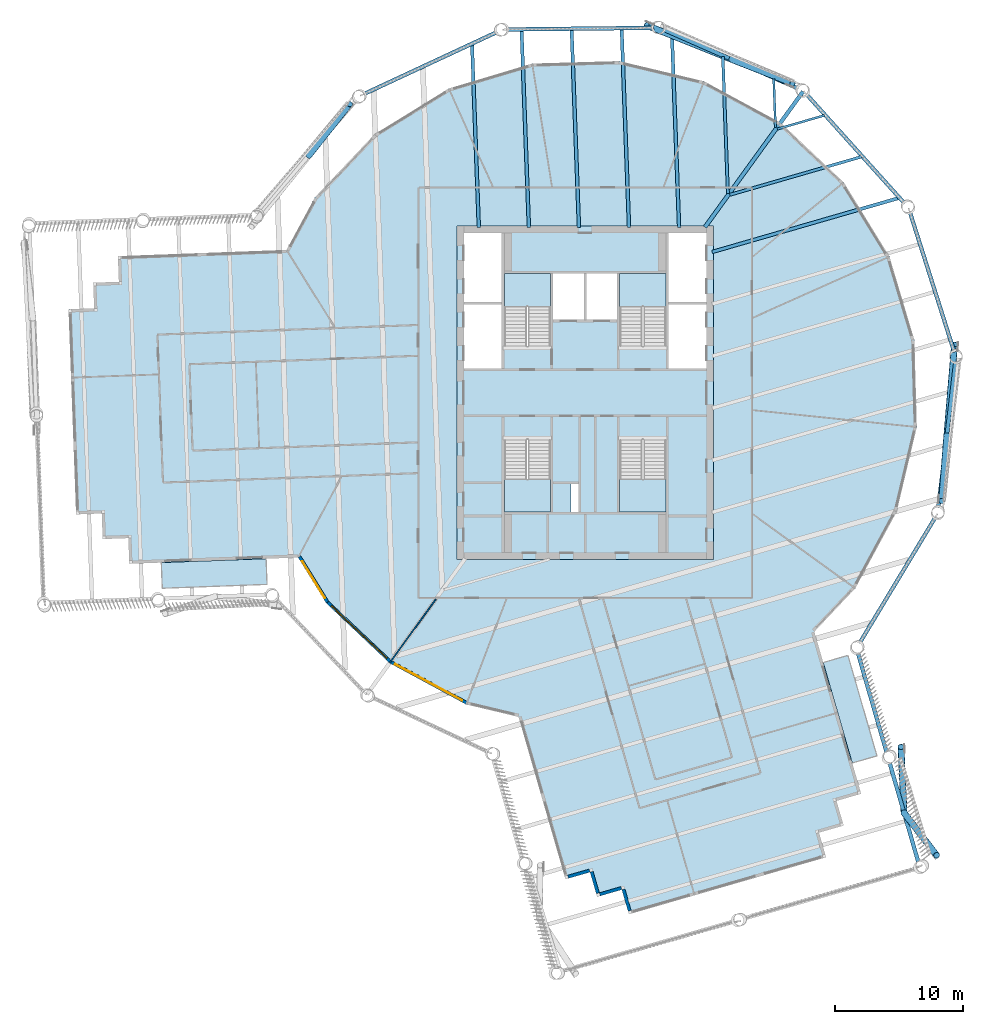
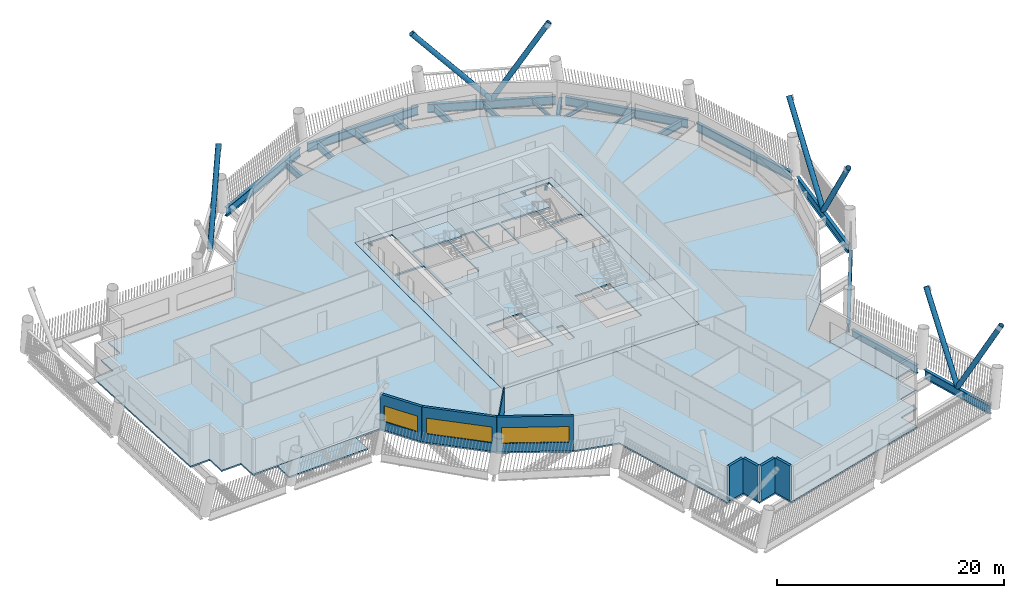
# One storey, part 2 of 20: 20 beams, 8 slabs, 8 walls, 7 members, 3 windows, 3 openings, 4 elements without a shape of their own.
"""IFC4 building model written with IfcOpenShell, lengths in metres."""

from ifc_helpers import new_model, si_unit, direction, frame, frame_2d, origin, origin_2d, place, context, subcontext, project, spatial, polyline, rectangle, hollow_circle, i_section, outline, extrude, material, layer, layer_set, material_profile, profile_set, type_object, element, fill, aggregate, save


model = new_model("IFC4")

# Units and contexts
model_context = context("Model", 3, precision=1e-05, world=origin(), true_north=direction((0.0, 1.0)))
body_context = subcontext(model_context, "Body", "Model", "MODEL_VIEW")
ifc_project = project(units=[si_unit("LENGTHUNIT", "METRE"), si_unit("AREAUNIT", "SQUARE_METRE"), si_unit("VOLUMEUNIT", "CUBIC_METRE"), si_unit("PLANEANGLEUNIT", "RADIAN"), si_unit("MASSUNIT", "GRAM", prefix="KILO")], contexts=[model_context])

# Site, building, storey
site_placement = place(None, origin())
site = spatial("IfcSite", under=ifc_project, at=site_placement, CompositionType="ELEMENT")
building_placement = place(site_placement, origin())
building = spatial("IfcBuilding", under=site, at=building_placement, Name="Tarsis Ring Headquarters", CompositionType="ELEMENT")
storey_placement = place(building_placement, frame((0.0, 0.0, 294.199951171875)))
storey = spatial("IfcBuildingStorey", under=building, at=storey_placement, Name="L69", CompositionType="ELEMENT", Elevation=294.199951171875)

# Beams
ifc_material_1 = material(Name="Structural steel S355", Category="steel")
ifc_material_profile_1 = material_profile(ifc_material_1, i_section(OverallWidth=0.177734375, OverallDepth=0.406494140625, WebThickness=0.0078125, FlangeThickness=0.0126953125, at=origin_2d()), Name="W16x40")
ifc_profile_set_1 = profile_set([ifc_material_profile_1], Name="Structural steel S355")
beam_type_1 = type_object("IfcBeamType", Name="FB Floor beam W16x40", PredefinedType="JOIST", material=ifc_profile_set_1)
beam_1_placement = place(storey_placement, frame((14.996337890625, 20.572509765625, -0.363037109375), z_axis=(0.960676920236, 0.277668606303, 0.0), x_axis=(-0.277668606303, 0.960676920236, 0.0)))
element("IfcBeam", 1, at=beam_1_placement, inside=storey, type_object=beam_type_1, Name="Floor beam FB1", PredefinedType="JOIST", context=body_context, shape_type="SweptSolid", body=[
    extrude(i_section(OverallWidth=0.177734375, OverallDepth=0.406494140625, WebThickness=0.0078125, FlangeThickness=0.0126953125, at=origin_2d()), origin(), (0.0, 0.0, 1.0), 3.805419921875),
])
beam_2_placement = place(storey_placement, frame((14.704345703125, 24.484619140625, -0.363037109375), z_axis=(0.036957079152, -0.999316853806, 0.0), x_axis=(0.999316853806, 0.036957079152, 0.0)))
element("IfcBeam", 2, at=beam_2_placement, inside=storey, type_object=beam_type_1, Name="Floor beam FB1", PredefinedType="JOIST", context=body_context, shape_type="SweptSolid", body=[
    extrude(i_section(OverallWidth=0.177734375, OverallDepth=0.406494140625, WebThickness=0.0078125, FlangeThickness=0.0126953125, at=origin_2d()), origin(), (0.0, 0.0, 1.0), 3.80517578125),
])
ifc_material_profile_2 = material_profile(ifc_material_1, i_section(OverallWidth=0.228271484375, OverallDepth=0.607177734375, WebThickness=0.01123046875, FlangeThickness=0.017333984375, at=origin_2d()), Name="W24x76")
ifc_profile_set_2 = profile_set([ifc_material_profile_2], Name="Structural steel S355")
beam_type_2 = type_object("IfcBeamType", Name="FB Floor beam W24x76", PredefinedType="JOIST", material=ifc_profile_set_2)
beam_3_placement = place(storey_placement, frame((11.28369140625, 15.43994140625, -0.463623046875), z_axis=(0.960683985419, 0.277644161041, 0.0), x_axis=(-0.277644161041, 0.960683985419, 0.0)))
element("IfcBeam", 3, at=beam_3_placement, inside=storey, type_object=beam_type_2, Name="Floor beam FB4", PredefinedType="JOIST", context=body_context, shape_type="SweptSolid", body=[
    extrude(i_section(OverallWidth=0.228271484375, OverallDepth=0.607177734375, WebThickness=0.01123046875, FlangeThickness=0.017333984375, at=origin_2d()), origin(), (0.0, 0.0, 1.0), 10.684814453125),
])
beam_4_placement = place(storey_placement, frame((10.737060546875, 26.226806640625, -0.463623046875), z_axis=(0.036993912741, -0.999315490934, 0.0), x_axis=(0.999315490934, 0.036993912741, 0.0)))
element("IfcBeam", 4, at=beam_4_placement, inside=storey, type_object=beam_type_2, Name="Floor beam FB4", PredefinedType="JOIST", context=body_context, shape_type="SweptSolid", body=[
    extrude(i_section(OverallWidth=0.228271484375, OverallDepth=0.607177734375, WebThickness=0.01123046875, FlangeThickness=0.017333984375, at=origin_2d()), origin(), (0.0, 0.0, 1.0), 10.6845703125),
])
ifc_material_profile_3 = material_profile(ifc_material_1, i_section(OverallWidth=0.2666015625, OverallDepth=0.7568359375, WebThickness=0.013916015625, FlangeThickness=0.019287109375, at=origin_2d()), Name="W30x108")
ifc_profile_set_3 = profile_set([ifc_material_profile_3], Name="Structural steel S355")
beam_type_3 = type_object("IfcBeamType", Name="FB Floor beam W30x108", PredefinedType="JOIST", material=ifc_profile_set_3)
beam_5_placement = place(storey_placement, frame((9.904052734375, 10.981689453125, -0.538330078125), z_axis=(0.960683784547, 0.277644856082, 0.0), x_axis=(-0.277644856082, 0.960683784547, 0.0)))
element("IfcBeam", 5, at=beam_5_placement, inside=storey, type_object=beam_type_3, Name="Floor beam FB6", PredefinedType="JOIST", context=body_context, shape_type="SweptSolid", body=[
    extrude(i_section(OverallWidth=0.2666015625, OverallDepth=0.7568359375, WebThickness=0.013916015625, FlangeThickness=0.019287109375, at=origin_2d()), origin(), (0.0, 0.0, 1.0), 15.1357421875),
])
beam_6_placement = place(storey_placement, frame((6.77001953125, 27.968994140625, -0.538330078125), z_axis=(0.036995492097, -0.999315432466, 0.0), x_axis=(0.999315432466, 0.036995492097, 0.0)))
element("IfcBeam", 6, at=beam_6_placement, inside=storey, type_object=beam_type_3, Name="Floor beam FB6", PredefinedType="JOIST", context=body_context, shape_type="SweptSolid", body=[
    extrude(i_section(OverallWidth=0.2666015625, OverallDepth=0.7568359375, WebThickness=0.013916015625, FlangeThickness=0.019287109375, at=origin_2d()), origin(), (0.0, 0.0, 1.0), 15.0791015625),
])
beam_7_placement = place(storey_placement, frame((2.852294921875, 28.373779296875, -0.538330078125), z_axis=(0.036989500235, -0.999315654272, 0.0), x_axis=(0.999315654272, 0.036989500235, 0.0)))
element("IfcBeam", 7, at=beam_7_placement, inside=storey, type_object=beam_type_3, Name="Floor beam FB6", PredefinedType="JOIST", context=body_context, shape_type="SweptSolid", body=[
    extrude(i_section(OverallWidth=0.2666015625, OverallDepth=0.7568359375, WebThickness=0.013916015625, FlangeThickness=0.019287109375, at=origin_2d()), origin(), (0.0, 0.0, 1.0), 15.484130859375),
])
beam_8_placement = place(storey_placement, frame((-1.048828125, 28.330810546875, -0.538330078125), z_axis=(0.03699762558, -0.99931535348, 0.0), x_axis=(0.99931535348, 0.03699762558, 0.0)))
element("IfcBeam", 8, at=beam_8_placement, inside=storey, type_object=beam_type_3, Name="Floor beam FB6", PredefinedType="JOIST", context=body_context, shape_type="SweptSolid", body=[
    extrude(i_section(OverallWidth=0.2666015625, OverallDepth=0.7568359375, WebThickness=0.013916015625, FlangeThickness=0.019287109375, at=origin_2d()), origin(), (0.0, 0.0, 1.0), 15.441162109375),
])
beam_9_placement = place(storey_placement, frame((-4.94970703125, 28.28759765625, -0.538330078125), z_axis=(0.036990548985, -0.999315615452, 0.0), x_axis=(0.999315615452, 0.036990548985, 0.0)))
element("IfcBeam", 9, at=beam_9_placement, inside=storey, type_object=beam_type_3, Name="Floor beam FB6", PredefinedType="JOIST", context=body_context, shape_type="SweptSolid", body=[
    extrude(i_section(OverallWidth=0.2666015625, OverallDepth=0.7568359375, WebThickness=0.013916015625, FlangeThickness=0.019287109375, at=origin_2d()), origin(), (0.0, 0.0, 1.0), 15.39794921875),
])
beam_10_placement = place(storey_placement, frame((-8.810546875, 27.15185546875, -0.538330078125), z_axis=(0.036993931895, -0.999315490225, 0.0), x_axis=(0.999315490225, 0.036993931895, 0.0)))
element("IfcBeam", 10, at=beam_10_placement, inside=storey, type_object=beam_type_3, Name="Floor beam FB6", PredefinedType="JOIST", context=body_context, shape_type="SweptSolid", body=[
    extrude(i_section(OverallWidth=0.2666015625, OverallDepth=0.7568359375, WebThickness=0.013916015625, FlangeThickness=0.019287109375, at=origin_2d()), origin(), (0.0, 0.0, 1.0), 14.261474609375),
])
ifc_material_profile_4 = material_profile(ifc_material_1, i_section(OverallWidth=0.309814453125, OverallDepth=0.949951171875, WebThickness=0.0244140625, FlangeThickness=0.0439453125, at=origin_2d()), Name="W36x256")
ifc_profile_set_4 = profile_set([ifc_material_profile_4], Name="Structural steel S355")
beam_type_4 = type_object("IfcBeamType", Name="FB Floor beam W36x256 spine", PredefinedType="BEAM", material=ifc_profile_set_4)
beam_11_placement = place(storey_placement, frame((16.99072265625, 23.489013671875, -0.635009765625), z_axis=(-0.586085543546, -0.810249181207, 0.0), x_axis=(0.810249181207, -0.586085543546, 0.0)))
element("IfcBeam", 11, at=beam_11_placement, inside=storey, type_object=beam_type_4, Name="Floor beam SB11", PredefinedType="BEAM", context=body_context, shape_type="SweptSolid", body=[
    extrude(i_section(OverallWidth=0.309814453125, OverallDepth=0.949951171875, WebThickness=0.0244140625, FlangeThickness=0.0439453125, at=origin_2d()), origin(), (0.0, 0.0, 1.0), 13.04541015625),
])

# Members
ifc_material_profile_5 = material_profile(ifc_material_1, hollow_circle(Radius=0.25390625, WallThickness=0.02001953125, at=origin_2d()), Name="CHS 508x20")
ifc_profile_set_5 = profile_set([ifc_material_profile_5], Name="Structural steel S355")
member_type = type_object("IfcMemberType", Name="XD X brace CHS 508x20", PredefinedType="BRACE", material=ifc_profile_set_5)
member_1_placement = place(storey_placement, frame((24.86572265625, -32.73193359375, 0.0), z_axis=(-0.025481003006, 0.54971017151, 0.834966733364), x_axis=(-0.998927403625, -0.046303804247, 0.0)))
element("IfcMember", 12, at=member_1_placement, inside=storey, type_object=member_type, Name="X brace XD2", PredefinedType="BRACE", context=body_context, shape_type="SweptSolid", body=[
    extrude(hollow_circle(Radius=0.25390625, WallThickness=0.02001953125, at=origin_2d()), origin(), (0.0, 0.0, 1.0), 9.341796875),
])
member_2_placement = place(storey_placement, frame((24.86572265625, -32.73193359375, 0.0), z_axis=(0.286627018559, -0.375539326626, 0.881371185364), x_axis=(0.794919377339, 0.606715076071, 0.0)))
element("IfcMember", 13, at=member_2_placement, inside=storey, type_object=member_type, Name="X brace XD2", PredefinedType="BRACE", context=body_context, shape_type="SweptSolid", body=[
    extrude(hollow_circle(Radius=0.25390625, WallThickness=0.02001953125, at=origin_2d()), origin(), (0.0, 0.0, 1.0), 8.849853515625),
])
member_3_placement = place(storey_placement, frame((28.199462890625, -3.330810546875, 0.0), z_axis=(0.056974207273, 0.672558923467, 0.737847161796), x_axis=(-0.996431085728, 0.084410256455, 0.0)))
element("IfcMember", 14, at=member_3_placement, inside=storey, type_object=member_type, Name="X brace XD2", PredefinedType="BRACE", context=body_context, shape_type="SweptSolid", body=[
    extrude(hollow_circle(Radius=0.25390625, WallThickness=0.02001953125, at=origin_2d()), origin(), (0.0, 0.0, 1.0), 10.5712890625),
])
member_4_placement = place(storey_placement, frame((28.199462890625, -3.330810546875, 0.0), z_axis=(-0.04295505914, -0.546584149854, 0.836301757754), x_axis=(0.996926179051, -0.078346624195, 0.0)))
element("IfcMember", 15, at=member_4_placement, inside=storey, type_object=member_type, Name="X brace XD2", PredefinedType="BRACE", context=body_context, shape_type="SweptSolid", body=[
    extrude(hollow_circle(Radius=0.25390625, WallThickness=0.02001953125, at=origin_2d()), origin(), (0.0, 0.0, 1.0), 9.326904296875),
])
member_5_placement = place(storey_placement, frame((11.41748046875, 25.9990234375, 0.0), z_axis=(-0.626630199239, 0.250809124083, 0.737854576917), x_axis=(-0.371591247201, -0.928396437414, 0.0)))
element("IfcMember", 16, at=member_5_placement, inside=storey, type_object=member_type, Name="X brace XD2", PredefinedType="BRACE", context=body_context, shape_type="SweptSolid", body=[
    extrude(hollow_circle(Radius=0.25390625, WallThickness=0.02001953125, at=origin_2d()), origin(), (0.0, 0.0, 1.0), 10.5712890625),
])
for number, where, z_axis, x_axis, name in (
    (17, (11.41748046875, 25.9990234375, 0.0), (0.510248119483, -0.200638784991, 0.836295961082), (0.365943344089, 0.930637130635, 0.0), "X brace XD2"),
    (18, (-21.53369140625, 18.509765625, 0.0), (0.340867265018, 0.429421554494, 0.836305348646), (-0.783238713679, 0.621721092931, 0.0), "X brace XD2"),
):
    element("IfcMember", number, at=place(storey_placement, frame(where, z_axis=z_axis, x_axis=x_axis)), inside=storey, type_object=member_type, Name=name, PredefinedType="BRACE", context=body_context, shape_type="SweptSolid", body=[
        extrude(hollow_circle(Radius=0.25390625, WallThickness=0.02001953125, at=origin_2d()), origin(), (0.0, 0.0, 1.0), 9.326904296875),
    ])

# Beams
ifc_material_profile_6 = material_profile(ifc_material_1, i_section(OverallWidth=0.309814453125, OverallDepth=0.93212890625, WebThickness=0.02099609375, FlangeThickness=0.034423828125, at=origin_2d()), Name="W36x210")
ifc_profile_set_6 = profile_set([ifc_material_profile_6], Name="Structural steel S355")
beam_type_5 = type_object("IfcBeamType", Name="XG Ring girder W36x210", PredefinedType="BEAM", material=ifc_profile_set_6)
for number, where, z_axis, x_axis, name in (
    (19, (25.974609375, -36.56884765625, -0.466064453125), (-0.277642459607, 0.960684477143, 0.0), (-0.960684477143, -0.277642459607, 0.0), "Ring girder XG3"),
    (20, (23.5029296875, -28.0166015625, -0.466064453125), (-0.277642459607, 0.960684477143, 0.0), (-0.960684477143, -0.277642459607, 0.0), "Ring girder XG3"),
):
    element("IfcBeam", number, at=place(storey_placement, frame(where, z_axis=z_axis, x_axis=x_axis)), inside=storey, type_object=beam_type_5, Name=name, PredefinedType="BEAM", context=body_context, shape_type="SweptSolid", body=[
        extrude(i_section(OverallWidth=0.309814453125, OverallDepth=0.93212890625, WebThickness=0.02099609375, FlangeThickness=0.034423828125, at=origin_2d()), origin(), (0.0, 0.0, 1.0), 7.98779296875),
    ])
for number, where, z_axis, x_axis, name in (
    (21, (21.39404296875, -19.511962890625, -0.466064453125), (0.516217884028, 0.856457293862, 0.0), (-0.856457293862, 0.516217884028, 0.0), "Ring girder XG3"),
    (22, (27.53466796875, -8.958740234375, -0.466064453125), (0.11730614313, 0.993095800406, 0.0), (-0.993095800406, 0.11730614313, 0.0), "Ring girder XG3"),
    (23, (28.779541015625, 3.187255859375, -0.466064453125), (-0.302462965702, 0.953161137678, 0.0), (-0.953161137678, -0.302462965702, 0.0), "Ring girder XG3"),
):
    element("IfcBeam", number, at=place(storey_placement, frame(where, z_axis=z_axis, x_axis=x_axis)), inside=storey, type_object=beam_type_5, Name=name, PredefinedType="BEAM", context=body_context, shape_type="SweptSolid", body=[
        extrude(i_section(OverallWidth=0.309814453125, OverallDepth=0.93212890625, WebThickness=0.02099609375, FlangeThickness=0.034423828125, at=origin_2d()), origin(), (0.0, 0.0, 1.0), 11.33447265625),
    ])
beam_12_placement = place(storey_placement, frame((24.9072265625, 14.7666015625, -0.466064453125), z_axis=(-0.66847428191, 0.743735258291, 0.0), x_axis=(-0.743735258291, -0.66847428191, 0.0)))
element("IfcBeam", 24, at=beam_12_placement, inside=storey, type_object=beam_type_5, Name="Ring girder XG3", PredefinedType="BEAM", context=body_context, shape_type="SweptSolid", body=[
    extrude(i_section(OverallWidth=0.309814453125, OverallDepth=0.93212890625, WebThickness=0.02099609375, FlangeThickness=0.034423828125, at=origin_2d()), origin(), (0.0, 0.0, 1.0), 11.334228515625),
])
beam_13_placement = place(storey_placement, frame((16.6064453125, 23.72021484375, -0.466064453125), z_axis=(-0.915596841317, 0.40209753067, 0.0), x_axis=(-0.40209753067, -0.915596841317, 0.0)))
element("IfcBeam", 25, at=beam_13_placement, inside=storey, type_object=beam_type_5, Name="Ring girder XG3", PredefinedType="BEAM", context=body_context, shape_type="SweptSolid", body=[
    extrude(i_section(OverallWidth=0.309814453125, OverallDepth=0.93212890625, WebThickness=0.02099609375, FlangeThickness=0.034423828125, at=origin_2d()), origin(), (0.0, 0.0, 1.0), 11.334716796875),
])
for number, where, z_axis, x_axis, name in (
    (26, (5.352783203125, 28.45654296875, -0.466064453125), (-0.999938709959, -0.011071419273, 0.0), (0.011071419273, -0.999938709959, 0.0), "Ring girder XG3"),
    (27, (-6.8525390625, 28.133056640625, -0.466064453125), (-0.906481719803, -0.422245061147, 0.0), (0.422245061147, -0.906481719803, 0.0), "Ring girder XG3"),
):
    element("IfcBeam", number, at=place(storey_placement, frame(where, z_axis=z_axis, x_axis=x_axis)), inside=storey, type_object=beam_type_5, Name=name, PredefinedType="BEAM", context=body_context, shape_type="SweptSolid", body=[
        extrude(i_section(OverallWidth=0.309814453125, OverallDepth=0.93212890625, WebThickness=0.02099609375, FlangeThickness=0.034423828125, at=origin_2d()), origin(), (0.0, 0.0, 1.0), 11.33447265625),
    ])

# Slabs
ifc_material_2 = material(Name="Concrete C40/50", Category="concrete")
ifc_layer_1 = layer(ifc_material_2, 0.159912109375)
ifc_layer_set_1 = layer_set([ifc_layer_1], Name="Balcony slab concrete C40/50")
slab_type_1 = type_object("IfcSlabType", Name="Balcony slab concrete C40/50", PredefinedType="FLOOR", material=ifc_layer_set_1)
slab_1_placement = place(storey_placement, frame((0.0, 0.0, -0.159912109375)))
element("IfcSlab", 28, at=slab_1_placement, inside=storey, type_object=slab_type_1, Name="Balcony slab L69-01", PredefinedType="FLOOR", context=body_context, shape_type="SweptSolid", body=[
    extrude(outline(polyline([(-33.033203125, -13.23095703125), (-32.959228515625, -15.229736328125), (-24.792724609375, -14.92724609375), (-24.86669921875, -12.9287109375), (-33.033203125, -13.23095703125)])), origin(), (0.0, 0.0, 1.0), 0.159912109375),
])
slab_2_placement = place(storey_placement, frame((0.0, 0.0, -0.159912109375)))
element("IfcSlab", 29, at=slab_2_placement, inside=storey, type_object=slab_type_1, Name="Balcony slab L69-16", PredefinedType="FLOOR", context=body_context, shape_type="SweptSolid", body=[
    extrude(outline(polyline([(20.829345703125, -28.85107421875), (22.750732421875, -28.295654296875), (20.487548828125, -20.46484375), (18.566162109375, -21.020263671875), (20.829345703125, -28.85107421875)])), origin(), (0.0, 0.0, 1.0), 0.159912109375),
])
ifc_layer_2 = layer(ifc_material_2, 0.159912109375)
ifc_layer_set_2 = layer_set([ifc_layer_2], Name="Core floor slab 160 C40/50")
slab_type_2 = type_object("IfcSlabType", Name="Core floor slab 160 C40/50", PredefinedType="FLOOR", material=ifc_layer_set_2)
slab_3_placement = place(storey_placement, frame((0.0, 0.0, -0.159912109375)))
element("IfcSlab", 30, at=slab_3_placement, inside=storey, type_object=slab_type_2, Name="L69 core floor slab", PredefinedType="FLOOR", context=body_context, shape_type="SweptSolid", body=[
    extrude(outline(polyline([(-10.0, -13.0), (10.0, -13.0), (10.0, 13.0), (-10.0, 13.0), (-10.0, -13.0)]), holes=[polyline([(-2.5, 5.699951171875), (-0.10009765625, 5.699951171875), (-0.10009765625, 9.300048828125), (-2.5, 9.300048828125), (-2.5, 5.699951171875)]), polyline([(0.10009765625, 5.699951171875), (2.5, 5.699951171875), (2.5, 9.300048828125), (0.10009765625, 9.300048828125), (0.10009765625, 5.699951171875)]), polyline([(-9.449951171875, 1.89990234375), (-6.5, 1.89990234375), (-6.5, 6.89990234375), (-9.449951171875, 6.89990234375), (-9.449951171875, 1.89990234375)]), polyline([(-9.449951171875, 7.10009765625), (-6.5, 7.10009765625), (-6.5, 12.449951171875), (-9.449951171875, 12.449951171875), (-9.449951171875, 7.10009765625)]), polyline([(6.5, 1.89990234375), (9.449951171875, 1.89990234375), (9.449951171875, 6.89990234375), (6.5, 6.89990234375), (6.5, 1.89990234375)]), polyline([(6.5, 7.10009765625), (9.449951171875, 7.10009765625), (9.449951171875, 12.449951171875), (6.5, 12.449951171875), (6.5, 7.10009765625)]), polyline([(-1.10009765625, -9.300048828125), (-0.5, -9.300048828125), (-0.5, -7.10009765625), (-1.10009765625, -7.10009765625), (-1.10009765625, -9.300048828125)]), polyline([(-2.699951171875, 3.760009765625), (-2.699951171875, 9.300048828125), (-6.300048828125, 9.300048828125), (-6.300048828125, 3.659912109375), (-4.4599609375, 3.659912109375), (-4.4599609375, 3.760009765625), (-2.699951171875, 3.760009765625)]), polyline([(6.300048828125, 3.760009765625), (6.300048828125, 9.300048828125), (2.699951171875, 9.300048828125), (2.699951171875, 3.659912109375), (4.5400390625, 3.659912109375), (4.5400390625, 3.760009765625), (6.300048828125, 3.760009765625)]), polyline([(-6.300048828125, -3.760009765625), (-6.300048828125, -9.300048828125), (-2.699951171875, -9.300048828125), (-2.699951171875, -3.659912109375), (-4.5400390625, -3.659912109375), (-4.5400390625, -3.760009765625), (-6.300048828125, -3.760009765625)]), polyline([(2.699951171875, -3.760009765625), (2.699951171875, -9.300048828125), (6.300048828125, -9.300048828125), (6.300048828125, -3.659912109375), (4.4599609375, -3.659912109375), (4.4599609375, -3.760009765625), (2.699951171875, -3.760009765625)])]), origin(), (0.0, 0.0, 1.0), 0.159912109375),
])

# Stair, slab
ifc_material_3 = material(Name="Core stair 1760")
stair_type = type_object("IfcStairType", Name="Core stair 1760", PredefinedType="HALF_TURN_STAIR", material=ifc_material_3)
stair_1_placement = place(storey_placement, origin())
stair_1 = element("IfcStair", 31, at=stair_1_placement, inside=storey, type_object=stair_type, Name="L69 Firefighting stair", PredefinedType="HALF_TURN_STAIR")
ifc_layer_3 = layer(ifc_material_2, 0.199951171875)
ifc_layer_set_3 = layer_set([ifc_layer_3], Name="Core stair landing 200")
slab_type_3 = type_object("IfcSlabType", Name="Core stair landing 200", PredefinedType="LANDING", material=ifc_layer_set_3)
slab_4_placement = place(storey_placement, frame((0.0, 0.0, 1.75)))
slab_4 = element("IfcSlab", 32, at=slab_4_placement, type_object=slab_type_3, Name="Stair ST1 landing 1", PredefinedType="LANDING", context=body_context, shape_type="SweptSolid", body=[
    extrude(outline(polyline([(-2.699951171875, 6.739990234375), (-2.699951171875, 9.300048828125), (-6.300048828125, 9.300048828125), (-6.300048828125, 6.739990234375), (-2.699951171875, 6.739990234375)])), origin(), (0.0, 0.0, 1.0), 0.199951171875),
])
aggregate(stair_1, [slab_4])

stair_2_placement = place(storey_placement, origin())
stair_2 = element("IfcStair", 33, at=stair_2_placement, inside=storey, type_object=stair_type, Name="L69 Exit stair B", PredefinedType="HALF_TURN_STAIR")
slab_5_placement = place(storey_placement, frame((0.0, 0.0, 1.75)))
slab_5 = element("IfcSlab", 34, at=slab_5_placement, type_object=slab_type_3, Name="Stair ST2 landing 1", PredefinedType="LANDING", context=body_context, shape_type="SweptSolid", body=[
    extrude(outline(polyline([(6.300048828125, 6.739990234375), (6.300048828125, 9.300048828125), (2.699951171875, 9.300048828125), (2.699951171875, 6.739990234375), (6.300048828125, 6.739990234375)])), origin(), (0.0, 0.0, 1.0), 0.199951171875),
])
aggregate(stair_2, [slab_5])

stair_3_placement = place(storey_placement, origin())
stair_3 = element("IfcStair", 35, at=stair_3_placement, inside=storey, type_object=stair_type, Name="L69 Exit stair C", PredefinedType="HALF_TURN_STAIR")
slab_6_placement = place(storey_placement, frame((0.0, 0.0, 1.75)))
slab_6 = element("IfcSlab", 36, at=slab_6_placement, type_object=slab_type_3, Name="Stair ST3 landing 1", PredefinedType="LANDING", context=body_context, shape_type="SweptSolid", body=[
    extrude(outline(polyline([(-6.300048828125, -6.739990234375), (-6.300048828125, -9.300048828125), (-2.699951171875, -9.300048828125), (-2.699951171875, -6.739990234375), (-6.300048828125, -6.739990234375)])), origin(), (0.0, 0.0, 1.0), 0.199951171875),
])
aggregate(stair_3, [slab_6])

stair_4_placement = place(storey_placement, origin())
stair_4 = element("IfcStair", 37, at=stair_4_placement, inside=storey, type_object=stair_type, Name="L69 Exit stair D", PredefinedType="HALF_TURN_STAIR")
slab_7_placement = place(storey_placement, frame((0.0, 0.0, 1.75)))
slab_7 = element("IfcSlab", 38, at=slab_7_placement, type_object=slab_type_3, Name="Stair ST4 landing 1", PredefinedType="LANDING", context=body_context, shape_type="SweptSolid", body=[
    extrude(outline(polyline([(2.699951171875, -6.739990234375), (2.699951171875, -9.300048828125), (6.300048828125, -9.300048828125), (6.300048828125, -6.739990234375), (2.699951171875, -6.739990234375)])), origin(), (0.0, 0.0, 1.0), 0.199951171875),
])
aggregate(stair_4, [slab_7])

# Slab
ifc_material_4 = material(Name="Concrete C35/45", Category="concrete")
ifc_layer_4 = layer(ifc_material_4, 0.159912109375)
ifc_layer_set_4 = layer_set([ifc_layer_4], Name="FS Composite floor slab 160")
slab_type_4 = type_object("IfcSlabType", Name="FS Composite floor slab 160", PredefinedType="FLOOR", material=ifc_layer_set_4)
slab_8_placement = place(storey_placement, frame((0.0, 0.0, -0.159912109375)))
element("IfcSlab", 39, at=slab_8_placement, inside=storey, type_object=slab_type_4, Name="Floor slab L69", PredefinedType="FLOOR", context=body_context, shape_type="SweptSolid", body=[
    extrude(outline(polyline([(-22.368408203125, -12.836181640625), (-20.17138671875, -16.404541015625), (-15.23828125, -21.06640625), (-9.2666015625, -24.29248046875), (-5.18994140625, -25.26220703125), (-1.53271484375, -37.916259765625), (0.388671875, -37.361083984375), (0.94384765625, -39.282470703125), (2.865234375, -38.72705078125), (3.420654296875, -40.6484375), (18.79150390625, -36.2060546875), (18.236083984375, -34.28466796875), (20.157470703125, -33.7294921875), (19.602294921875, -31.80810546875), (21.523681640625, -31.252685546875), (17.8720703125, -18.61865234375), (21.06640625, -15.23828125), (24.29248046875, -9.2666015625), (25.86328125, -2.66357421875), (25.67138671875, 4.12109375), (23.72998046875, 10.624755859375), (20.17138671875, 16.404541015625), (15.23828125, 21.06640625), (9.2666015625, 24.29248046875), (2.66357421875, 25.86328125), (-4.12109375, 25.67138671875), (-10.624755859375, 23.72998046875), (-16.404541015625, 20.17138671875), (-21.06640625, 15.23828125), (-23.27685546875, 11.146484375), (-36.419189453125, 10.66015625), (-36.34521484375, 8.661376953125), (-38.343994140625, 8.58740234375), (-38.27001953125, 6.5888671875), (-40.2685546875, 6.514892578125), (-39.6767578125, -9.47412109375), (-37.677978515625, -9.400146484375), (-37.60400390625, -11.39892578125), (-35.60546875, -11.324951171875), (-35.531494140625, -13.323486328125), (-22.368408203125, -12.836181640625)]), holes=[polyline([(-10.0, -13.0), (-10.0, 13.0), (10.0, 13.0), (10.0, -13.0), (-10.0, -13.0)])]), origin(), (0.0, 0.0, 1.0), 0.159912109375),
])

# Wall
ifc_material_5 = material(Name="Gypsum board on steel studs", Category="steel")
ifc_layer_5 = layer(ifc_material_5, 0.10009765625)
ifc_layer_set_5 = layer_set([ifc_layer_5], Name="FL partition 100 unrated")
wall_type_1 = type_object("IfcWallType", Name="FL partition 100 unrated", PredefinedType="PARTITIONING", material=ifc_layer_set_5)
wall_1_placement = place(storey_placement, frame((-15.207763671875, -21.024169921875, 0.0), z_axis=(0.0, 0.0, 1.0), x_axis=(0.586099664506, 0.810238966766, 0.0)))
element("IfcWall", 40, at=wall_1_placement, inside=storey, type_object=wall_type_1, Name="Partition PW3", PredefinedType="PARTITIONING", context=body_context, shape_type="SweptSolid", body=[
    extrude(rectangle(XDim=6.100830078125, YDim=0.10009765625, at=frame_2d((3.05029296875, 0.0))), origin(), (0.0, 0.0, 1.0), 2.699951171875),
])

# Wall, opening, window
ifc_material_6 = material(Name="Terracotta clad insulated panel wall", Category="masonry")
ifc_layer_6 = layer(ifc_material_6, 0.25)
ifc_layer_set_6 = layer_set([ifc_layer_6], Name="Facade wall terracotta panel 250")
wall_type_2 = type_object("IfcWallType", Name="Facade wall terracotta panel 250", PredefinedType="STANDARD", material=ifc_layer_set_6)
wall_2_placement = place(storey_placement, frame((-22.261962890625, -12.770751953125, 0.0), z_axis=(0.0, 0.0, 1.0), x_axis=(0.524280892055, -0.851545387062, 0.0)))
wall_2 = element("IfcWall", 41, at=wall_2_placement, inside=storey, type_object=wall_type_2, Name="External wall L69-02", PredefinedType="STANDARD", context=body_context, shape_type="SweptSolid", body=[
    extrude(rectangle(XDim=4.157470703125, YDim=0.25, at=frame_2d((2.07861328125, 0.0))), origin(), (0.0, 0.0, 1.0), 3.739990234375),
])
opening_1_placement = place(wall_2_placement, frame((0.420166015625, 0.0, 0.89990234375)))
opening_1 = element("IfcOpeningElement", 42, at=opening_1_placement, cuts=wall_2, Name="Opening WN01", PredefinedType="OPENING", context=body_context, shape_type="SweptSolid", body=[
    extrude(rectangle(XDim=3.35009765625, YDim=1.699951171875, at=frame_2d((1.675048828125, 0.85009765625))), frame((0.0, 0.135009765625, 0.0), z_axis=(0.0, -1.0, 0.0), x_axis=(1.0, 0.0, 0.0)), (0.0, 0.0, 1.0), 0.27001953125),
])
ifc_material_7 = material(Name="Aluminium framed double glazing", Category="aluminium")
window_type_1 = type_object("IfcWindowType", Name="Facade window 3350 x 1700", PartitioningType="SINGLE_PANEL", PredefinedType="WINDOW", material=ifc_material_7)
window_1_placement = place(opening_1_placement, origin())
window_1 = element("IfcWindow", 43, at=window_1_placement, inside=storey, type_object=window_type_1, Name="Window L69-02.1", OverallHeight=1.699951171875, OverallWidth=3.35009765625, PartitioningType="SINGLE_PANEL", PredefinedType="WINDOW", context=body_context, shape_type="SweptSolid", body=[
    extrude(rectangle(XDim=3.35009765625, YDim=1.699951171875, at=frame_2d((1.675048828125, 0.85009765625))), frame((0.0, 0.030029296875, 0.0), z_axis=(0.0, -1.0, 0.0), x_axis=(1.0, 0.0, 0.0)), (0.0, 0.0, 1.0), 0.06005859375),
])
fill(opening_1, window_1)

wall_3_placement = place(storey_placement, frame((-20.061767578125, -16.33642578125, 0.0), z_axis=(0.0, 0.0, 1.0), x_axis=(0.726819718, -0.686828288239, 0.0)))
wall_3 = element("IfcWall", 44, at=wall_3_placement, inside=storey, type_object=wall_type_2, Name="External wall L69-03", PredefinedType="STANDARD", context=body_context, shape_type="SweptSolid", body=[
    extrude(rectangle(XDim=6.721435546875, YDim=0.25, at=frame_2d((3.36083984375, 0.0))), origin(), (0.0, 0.0, 1.0), 3.739990234375),
])
opening_2_placement = place(wall_3_placement, frame((0.3857421875, 0.0, 0.89990234375)))
opening_2 = element("IfcOpeningElement", 45, at=opening_2_placement, cuts=wall_3, Name="Opening WN07", PredefinedType="OPENING", context=body_context, shape_type="SweptSolid", body=[
    extrude(rectangle(XDim=5.949951171875, YDim=1.699951171875, at=frame_2d((2.97509765625, 0.85009765625))), frame((0.0, 0.135009765625, 0.0), z_axis=(0.0, -1.0, 0.0), x_axis=(1.0, 0.0, 0.0)), (0.0, 0.0, 1.0), 0.27001953125),
])
window_type_2 = type_object("IfcWindowType", Name="Facade window 5950 x 1700", PartitioningType="SINGLE_PANEL", PredefinedType="WINDOW", material=ifc_material_7)
window_2_placement = place(opening_2_placement, origin())
window_2 = element("IfcWindow", 46, at=window_2_placement, inside=storey, type_object=window_type_2, Name="Window L69-03.1", OverallHeight=1.699951171875, OverallWidth=5.949951171875, PartitioningType="SINGLE_PANEL", PredefinedType="WINDOW", context=body_context, shape_type="SweptSolid", body=[
    extrude(rectangle(XDim=5.949951171875, YDim=1.699951171875, at=frame_2d((2.97509765625, 0.85009765625))), frame((0.0, 0.030029296875, 0.0), z_axis=(0.0, -1.0, 0.0), x_axis=(1.0, 0.0, 0.0)), (0.0, 0.0, 1.0), 0.06005859375),
])
fill(opening_2, window_2)

wall_4_placement = place(storey_placement, frame((-15.14990234375, -20.97216796875, 0.0), z_axis=(0.0, 0.0, 1.0), x_axis=(0.879812441986, -0.475321014607, 0.0)))
wall_4 = element("IfcWall", 47, at=wall_4_placement, inside=storey, type_object=wall_type_2, Name="External wall L69-04", PredefinedType="STANDARD", context=body_context, shape_type="SweptSolid", body=[
    extrude(rectangle(XDim=6.721435546875, YDim=0.25, at=frame_2d((3.36083984375, 0.0))), origin(), (0.0, 0.0, 1.0), 3.739990234375),
])
opening_3_placement = place(wall_4_placement, frame((0.3857421875, 0.0, 0.89990234375)))
opening_3 = element("IfcOpeningElement", 48, at=opening_3_placement, cuts=wall_4, Name="Opening WN07", PredefinedType="OPENING", context=body_context, shape_type="SweptSolid", body=[
    extrude(rectangle(XDim=5.949951171875, YDim=1.699951171875, at=frame_2d((2.97509765625, 0.85009765625))), frame((0.0, 0.135009765625, 0.0), z_axis=(0.0, -1.0, 0.0), x_axis=(1.0, 0.0, 0.0)), (0.0, 0.0, 1.0), 0.27001953125),
])
window_3_placement = place(opening_3_placement, origin())
window_3 = element("IfcWindow", 49, at=window_3_placement, inside=storey, type_object=window_type_2, Name="Window L69-04.1", OverallHeight=1.699951171875, OverallWidth=5.949951171875, PartitioningType="SINGLE_PANEL", PredefinedType="WINDOW", context=body_context, shape_type="SweptSolid", body=[
    extrude(rectangle(XDim=5.949951171875, YDim=1.699951171875, at=frame_2d((2.97509765625, 0.85009765625))), frame((0.0, 0.030029296875, 0.0), z_axis=(0.0, -1.0, 0.0), x_axis=(1.0, 0.0, 0.0)), (0.0, 0.0, 1.0), 0.06005859375),
])
fill(opening_3, window_3)

# Walls
for number, where, z_axis, x_axis, name in (
    (50, (-1.327392578125, -37.726806640625, 0.0), (0.0, 0.0, 1.0), (0.96068772566, 0.277631219004, 0.0), "External wall L69-07"),
    (51, (0.508544921875, -37.326416015625, 0.0), (0.0, 0.0, 1.0), (0.277759971149, -0.960650507951, 0.0), "External wall L69-08"),
    (52, (1.1494140625, -39.093017578125, 0.0), (0.0, 0.0, 1.0), (0.960650507951, 0.277759971149, 0.0), "External wall L69-09"),
    (53, (2.9853515625, -38.6923828125, 0.0), (0.0, 0.0, 1.0), (0.277631219004, -0.96068772566, 0.0), "External wall L69-10"),
):
    element("IfcWall", number, at=place(storey_placement, frame(where, z_axis=z_axis, x_axis=x_axis)), inside=storey, type_object=wall_type_2, Name=name, PredefinedType="STANDARD", context=body_context, shape_type="SweptSolid", body=[
        extrude(rectangle(XDim=1.75, YDim=0.25, at=frame_2d((0.875, 0.0))), origin(), (0.0, 0.0, 1.0), 3.739990234375),
    ])

save(model, "model.ifc")
